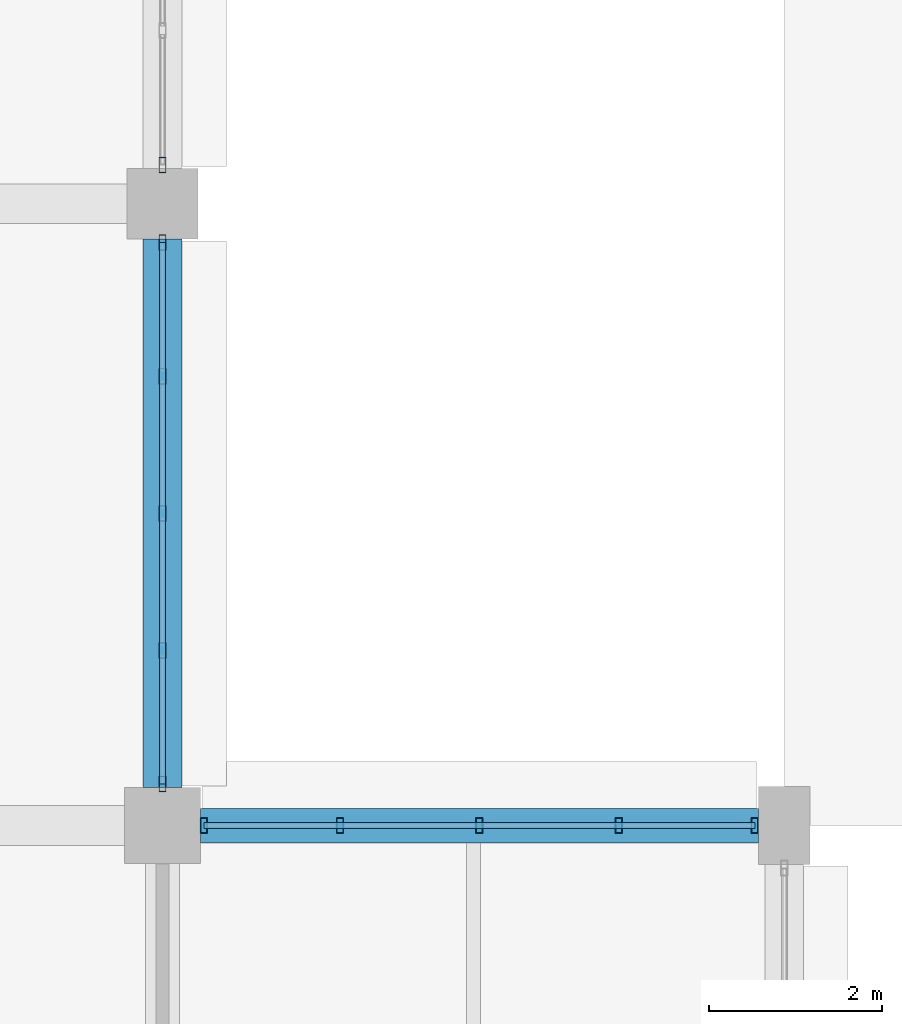
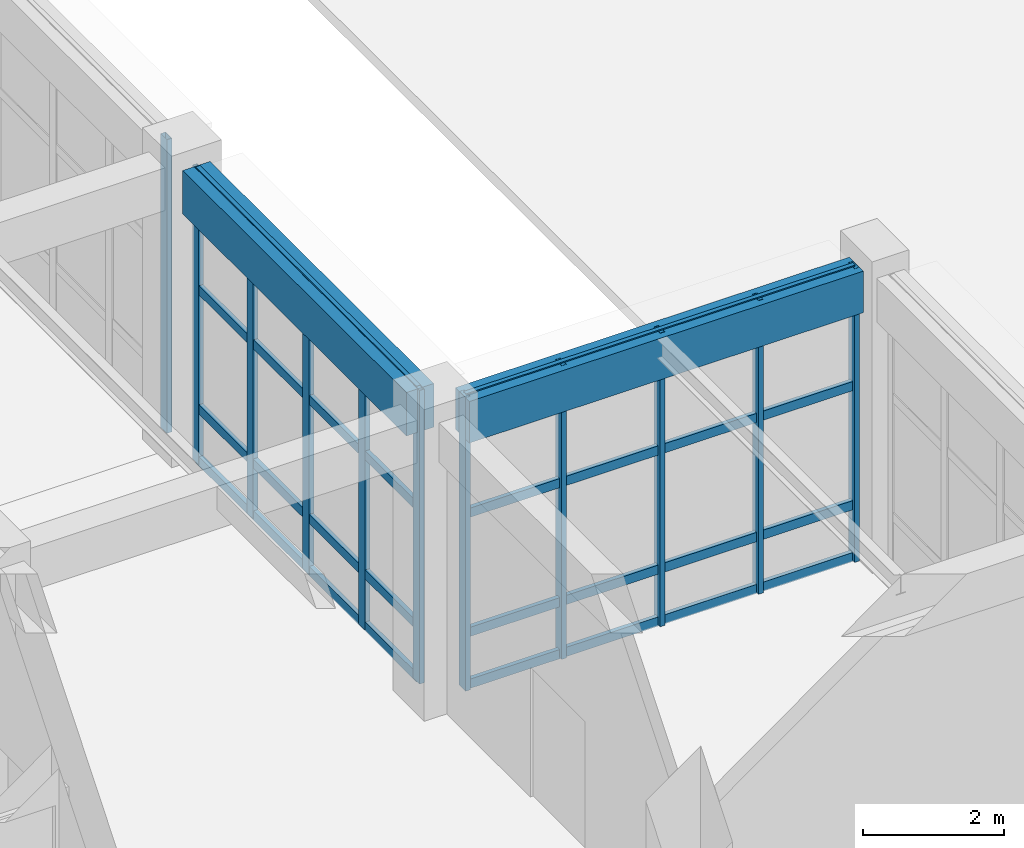
# One storey, part 21 of 160: 19 members, 2 beams, 3 elements without a shape of their own.
"""IFC4 building model written with IfcOpenShell, lengths in metres."""

from ifc_helpers import new_model, si_unit, direction, frame, origin, origin_2d, place, context, subcontext, project, spatial, rectangle, hollow_rectangle, extrude, material, material_profile, profile_set, type_object, element, aggregate, save


model = new_model("IFC4")

# Units and contexts
model_context = context("Model", 3, precision=1e-05, world=origin(), true_north=direction((0.0, 1.0)))
body_context = subcontext(model_context, "Body", "Model", "MODEL_VIEW")
ifc_project = project(units=[si_unit("LENGTHUNIT", "METRE"), si_unit("AREAUNIT", "SQUARE_METRE"), si_unit("VOLUMEUNIT", "CUBIC_METRE"), si_unit("PLANEANGLEUNIT", "RADIAN"), si_unit("MASSUNIT", "GRAM", prefix="KILO")], contexts=[model_context])

# Site, building, storey
site_placement = place(None, origin())
site = spatial("IfcSite", under=ifc_project, at=site_placement, CompositionType="ELEMENT")
building_placement = place(site_placement, origin())
building = spatial("IfcBuilding", under=site, at=building_placement, Name="Thalmaran Polytechnic", CompositionType="ELEMENT")
storey_placement = place(building_placement, origin())
storey = spatial("IfcBuildingStorey", under=building, at=storey_placement, Name="L00", CompositionType="ELEMENT", Elevation=0.0)

# Beams
ifc_material_1 = material(Name="Concrete C40/50", Category="concrete")
ifc_material_profile_1 = material_profile(ifc_material_1, rectangle(XDim=0.39990234375, YDim=0.719970703125, at=origin_2d()), Name="RC 400x720")
ifc_profile_set_1 = profile_set([ifc_material_profile_1], Name="Concrete C40/50")
beam_type_1 = type_object("IfcBeamType", Name="BM-SP01", PredefinedType="SPANDREL", material=ifc_profile_set_1)
beam_1_placement = place(storey_placement, frame((22.0400390625, 28.800048828125, 4.72998046875), z_axis=(1.0, 0.0, 0.0), x_axis=(0.0, 1.0, 0.0)))
element("IfcBeam", 1, at=beam_1_placement, inside=storey, type_object=beam_type_1, Name="Grid Beam SP01 L00 X(3,4)", PredefinedType="SPANDREL", context=body_context, shape_type="SweptSolid", body=[
    extrude(rectangle(XDim=0.39990234375, YDim=0.719970703125, at=origin_2d()), origin(), (0.0, 0.0, 1.0), 6.4599609375),
])
ifc_material_profile_2 = material_profile(ifc_material_1, rectangle(XDim=0.449951171875, YDim=0.7548828125, at=origin_2d()), Name="RC 450x755")
ifc_profile_set_2 = profile_set([ifc_material_profile_2], Name="Concrete C40/50")
beam_type_2 = type_object("IfcBeamType", Name="BM-SP02", PredefinedType="SPANDREL", material=ifc_profile_set_2)
beam_2_placement = place(storey_placement, frame((21.60009765625, 29.239990234375, 4.71240234375), z_axis=(0.0, 1.0, 0.0), x_axis=(-1.0, 0.0, 0.0)))
element("IfcBeam", 2, at=beam_2_placement, inside=storey, type_object=beam_type_2, Name="Grid Beam SP02 L00 Y(3,4)", PredefinedType="SPANDREL", context=body_context, shape_type="SweptSolid", body=[
    extrude(rectangle(XDim=0.449951171875, YDim=0.7548828125, at=origin_2d()), origin(), (0.0, 0.0, 1.0), 6.35009765625),
])

# Curtain wall, member
ifc_material_2 = material(Name="Aluminium 6063-T6", Category="aluminium")
curtain_wall_type = type_object("IfcCurtainWallType", Name="CW-UC01", PredefinedType="USERDEFINED", material=ifc_material_2)
curtain_wall_1_placement = place(storey_placement, origin())
curtain_wall_1 = element("IfcCurtainWall", 3, at=curtain_wall_1_placement, inside=storey, type_object=curtain_wall_type, Name="Curtain Wall CW-L00-046", ObjectType="UNITISED CURTAIN WALL", PredefinedType="USERDEFINED")
ifc_material_profile_3 = material_profile(ifc_material_2, hollow_rectangle(XDim=0.080078125, YDim=0.179931640625, WallThickness=0.0048828125, at=origin_2d()), Name="RHS 180x80x5.0")
ifc_profile_set_3 = profile_set([ifc_material_profile_3], Name="Aluminium 6063-T6")
member_type_1 = type_object("IfcMemberType", Name="CW-MUL1", PredefinedType="MULLION", material=ifc_profile_set_3)
member_1_placement = place(storey_placement, frame((21.60009765625, 36.449951171875, 0.0), z_axis=(0.0, 0.0, 1.0), x_axis=(1.0, 0.0, 0.0)))
member_1 = element("IfcMember", 4, at=member_1_placement, type_object=member_type_1, Name="CW-L00-046 Mullion 5", PredefinedType="MULLION", context=body_context, shape_type="SweptSolid", body=[
    extrude(hollow_rectangle(XDim=0.080078125, YDim=0.179931640625, WallThickness=0.0048828125, at=origin_2d()), origin(), (0.0, 0.0, 1.0), 5.090087890625),
])
aggregate(curtain_wall_1, [member_1])

# Curtain wall, members
curtain_wall_2_placement = place(storey_placement, origin())
curtain_wall_2 = element("IfcCurtainWall", 5, at=curtain_wall_2_placement, inside=storey, type_object=curtain_wall_type, Name="Curtain Wall CW-L00-047", ObjectType="UNITISED CURTAIN WALL", PredefinedType="USERDEFINED")
member_2_placement = place(storey_placement, frame((21.60009765625, 35.550048828125, 0.0), z_axis=(0.0, 0.0, 1.0), x_axis=(1.0, 0.0, 0.0)))
member_2 = element("IfcMember", 6, at=member_2_placement, type_object=member_type_1, Name="CW-L00-047 Mullion 1", PredefinedType="MULLION", context=body_context, shape_type="SweptSolid", body=[
    extrude(hollow_rectangle(XDim=0.080078125, YDim=0.179931640625, WallThickness=0.0048828125, at=origin_2d()), origin(), (0.0, 0.0, 1.0), 5.090087890625),
])
member_3_placement = place(storey_placement, frame((21.60009765625, 34.00244140625, 0.0), z_axis=(0.0, 0.0, 1.0), x_axis=(1.0, 0.0, 0.0)))
member_3 = element("IfcMember", 7, at=member_3_placement, type_object=member_type_1, Name="CW-L00-047 Mullion 2", PredefinedType="MULLION", context=body_context, shape_type="SweptSolid", body=[
    extrude(hollow_rectangle(XDim=0.080078125, YDim=0.179931640625, WallThickness=0.0048828125, at=origin_2d()), origin(), (0.0, 0.0, 1.0), 5.090087890625),
])
member_4_placement = place(storey_placement, frame((21.60009765625, 32.4150390625, 0.0), z_axis=(0.0, 0.0, 1.0), x_axis=(1.0, 0.0, 0.0)))
member_4 = element("IfcMember", 8, at=member_4_placement, type_object=member_type_1, Name="CW-L00-047 Mullion 3", PredefinedType="MULLION", context=body_context, shape_type="SweptSolid", body=[
    extrude(hollow_rectangle(XDim=0.080078125, YDim=0.179931640625, WallThickness=0.0048828125, at=origin_2d()), origin(), (0.0, 0.0, 1.0), 5.090087890625),
])
member_5_placement = place(storey_placement, frame((21.60009765625, 30.827392578125, 0.0), z_axis=(0.0, 0.0, 1.0), x_axis=(1.0, 0.0, 0.0)))
member_5 = element("IfcMember", 9, at=member_5_placement, type_object=member_type_1, Name="CW-L00-047 Mullion 4", PredefinedType="MULLION", context=body_context, shape_type="SweptSolid", body=[
    extrude(hollow_rectangle(XDim=0.080078125, YDim=0.179931640625, WallThickness=0.0048828125, at=origin_2d()), origin(), (0.0, 0.0, 1.0), 5.090087890625),
])
member_6_placement = place(storey_placement, frame((21.60009765625, 29.280029296875, 0.0), z_axis=(0.0, 0.0, 1.0), x_axis=(1.0, 0.0, 0.0)))
member_6 = element("IfcMember", 10, at=member_6_placement, type_object=member_type_1, Name="CW-L00-047 Mullion 5", PredefinedType="MULLION", context=body_context, shape_type="SweptSolid", body=[
    extrude(hollow_rectangle(XDim=0.080078125, YDim=0.179931640625, WallThickness=0.0048828125, at=origin_2d()), origin(), (0.0, 0.0, 1.0), 5.090087890625),
])

curtain_wall_3_placement = place(storey_placement, origin())
curtain_wall_3 = element("IfcCurtainWall", 11, at=curtain_wall_3_placement, inside=storey, type_object=curtain_wall_type, Name="Curtain Wall CW-L00-048", ObjectType="UNITISED CURTAIN WALL", PredefinedType="USERDEFINED")
member_7_placement = place(storey_placement, frame((22.080078125, 28.800048828125, 0.0), z_axis=(0.0, 0.0, 1.0), x_axis=(1.0, 0.0, 0.0)))
member_7 = element("IfcMember", 12, at=member_7_placement, type_object=member_type_1, Name="CW-L00-048 Mullion 1", PredefinedType="MULLION", context=body_context, shape_type="SweptSolid", body=[
    extrude(hollow_rectangle(XDim=0.080078125, YDim=0.179931640625, WallThickness=0.0048828125, at=origin_2d()), origin(), (0.0, 0.0, 1.0), 5.090087890625),
])
member_8_placement = place(storey_placement, frame((23.655029296875, 28.800048828125, 0.0), z_axis=(0.0, 0.0, 1.0), x_axis=(1.0, 0.0, 0.0)))
member_8 = element("IfcMember", 13, at=member_8_placement, type_object=member_type_1, Name="CW-L00-048 Mullion 2", PredefinedType="MULLION", context=body_context, shape_type="SweptSolid", body=[
    extrude(hollow_rectangle(XDim=0.080078125, YDim=0.179931640625, WallThickness=0.0048828125, at=origin_2d()), origin(), (0.0, 0.0, 1.0), 5.090087890625),
])
member_9_placement = place(storey_placement, frame((25.27001953125, 28.800048828125, 0.0), z_axis=(0.0, 0.0, 1.0), x_axis=(1.0, 0.0, 0.0)))
member_9 = element("IfcMember", 14, at=member_9_placement, type_object=member_type_1, Name="CW-L00-048 Mullion 3", PredefinedType="MULLION", context=body_context, shape_type="SweptSolid", body=[
    extrude(hollow_rectangle(XDim=0.080078125, YDim=0.179931640625, WallThickness=0.0048828125, at=origin_2d()), origin(), (0.0, 0.0, 1.0), 5.090087890625),
])
member_10_placement = place(storey_placement, frame((26.885009765625, 28.800048828125, 0.0), z_axis=(0.0, 0.0, 1.0), x_axis=(1.0, 0.0, 0.0)))
member_10 = element("IfcMember", 15, at=member_10_placement, type_object=member_type_1, Name="CW-L00-048 Mullion 4", PredefinedType="MULLION", context=body_context, shape_type="SweptSolid", body=[
    extrude(hollow_rectangle(XDim=0.080078125, YDim=0.179931640625, WallThickness=0.0048828125, at=origin_2d()), origin(), (0.0, 0.0, 1.0), 5.090087890625),
])
member_11_placement = place(storey_placement, frame((28.4599609375, 28.800048828125, 0.0), z_axis=(0.0, 0.0, 1.0), x_axis=(1.0, 0.0, 0.0)))
member_11 = element("IfcMember", 16, at=member_11_placement, type_object=member_type_1, Name="CW-L00-048 Mullion 5", PredefinedType="MULLION", context=body_context, shape_type="SweptSolid", body=[
    extrude(hollow_rectangle(XDim=0.080078125, YDim=0.179931640625, WallThickness=0.0048828125, at=origin_2d()), origin(), (0.0, 0.0, 1.0), 5.090087890625),
])

# Member
ifc_material_profile_4 = material_profile(ifc_material_2, hollow_rectangle(XDim=0.070068359375, YDim=0.159912109375, WallThickness=0.00390625, at=origin_2d()), Name="AL 160x70x4.0")
ifc_profile_set_4 = profile_set([ifc_material_profile_4], Name="Aluminium 6063-T6")
member_type_2 = type_object("IfcMemberType", Name="CW-TRN1", PredefinedType="USERDEFINED", material=ifc_profile_set_4)
member_12_placement = place(storey_placement, frame((21.60009765625, 35.550048828125, 0.06005859375), z_axis=(0.0, -1.0, 0.0), x_axis=(1.0, 0.0, 0.0)))
member_12 = element("IfcMember", 17, at=member_12_placement, type_object=member_type_2, Name="CW-L00-047 Transom 1", ObjectType="TRANSOM", PredefinedType="USERDEFINED", context=body_context, shape_type="SweptSolid", body=[
    extrude(hollow_rectangle(XDim=0.070068359375, YDim=0.159912109375, WallThickness=0.00390625, at=origin_2d()), origin(), (0.0, 0.0, 1.0), 6.27001953125),
])

member_13_placement = place(storey_placement, frame((21.60009765625, 35.550048828125, 0.9599609375), z_axis=(0.0, -1.0, 0.0), x_axis=(1.0, 0.0, 0.0)))
member_13 = element("IfcMember", 18, at=member_13_placement, type_object=member_type_2, Name="CW-L00-047 Transom 2", ObjectType="TRANSOM", PredefinedType="USERDEFINED", context=body_context, shape_type="SweptSolid", body=[
    extrude(hollow_rectangle(XDim=0.070068359375, YDim=0.159912109375, WallThickness=0.00390625, at=origin_2d()), origin(), (0.0, 0.0, 1.0), 6.27001953125),
])

member_14_placement = place(storey_placement, frame((21.60009765625, 35.550048828125, 3.02490234375), z_axis=(0.0, -1.0, 0.0), x_axis=(1.0, 0.0, 0.0)))
member_14 = element("IfcMember", 19, at=member_14_placement, type_object=member_type_2, Name="CW-L00-047 Transom 3", ObjectType="TRANSOM", PredefinedType="USERDEFINED", context=body_context, shape_type="SweptSolid", body=[
    extrude(hollow_rectangle(XDim=0.070068359375, YDim=0.159912109375, WallThickness=0.00390625, at=origin_2d()), origin(), (0.0, 0.0, 1.0), 6.27001953125),
])

member_15_placement = place(storey_placement, frame((21.60009765625, 35.550048828125, 5.030029296875), z_axis=(0.0, -1.0, 0.0), x_axis=(1.0, 0.0, 0.0)))
member_15 = element("IfcMember", 20, at=member_15_placement, type_object=member_type_2, Name="CW-L00-047 Transom 4", ObjectType="TRANSOM", PredefinedType="USERDEFINED", context=body_context, shape_type="SweptSolid", body=[
    extrude(hollow_rectangle(XDim=0.070068359375, YDim=0.159912109375, WallThickness=0.00390625, at=origin_2d()), origin(), (0.0, 0.0, 1.0), 6.27001953125),
])

aggregate(curtain_wall_2, [member_2, member_3, member_4, member_5, member_6, member_12, member_13, member_14, member_15])

member_16_placement = place(storey_placement, frame((22.080078125, 28.800048828125, 0.06005859375), z_axis=(1.0, 0.0, 0.0), x_axis=(0.0, 1.0, 0.0)))
member_16 = element("IfcMember", 21, at=member_16_placement, type_object=member_type_2, Name="CW-L00-048 Transom 1", ObjectType="TRANSOM", PredefinedType="USERDEFINED", context=body_context, shape_type="SweptSolid", body=[
    extrude(hollow_rectangle(XDim=0.070068359375, YDim=0.159912109375, WallThickness=0.00390625, at=origin_2d()), origin(), (0.0, 0.0, 1.0), 6.3798828125),
])

member_17_placement = place(storey_placement, frame((22.080078125, 28.800048828125, 0.9599609375), z_axis=(1.0, 0.0, 0.0), x_axis=(0.0, 1.0, 0.0)))
member_17 = element("IfcMember", 22, at=member_17_placement, type_object=member_type_2, Name="CW-L00-048 Transom 2", ObjectType="TRANSOM", PredefinedType="USERDEFINED", context=body_context, shape_type="SweptSolid", body=[
    extrude(hollow_rectangle(XDim=0.070068359375, YDim=0.159912109375, WallThickness=0.00390625, at=origin_2d()), origin(), (0.0, 0.0, 1.0), 6.3798828125),
])

member_18_placement = place(storey_placement, frame((22.080078125, 28.800048828125, 3.02490234375), z_axis=(1.0, 0.0, 0.0), x_axis=(0.0, 1.0, 0.0)))
member_18 = element("IfcMember", 23, at=member_18_placement, type_object=member_type_2, Name="CW-L00-048 Transom 3", ObjectType="TRANSOM", PredefinedType="USERDEFINED", context=body_context, shape_type="SweptSolid", body=[
    extrude(hollow_rectangle(XDim=0.070068359375, YDim=0.159912109375, WallThickness=0.00390625, at=origin_2d()), origin(), (0.0, 0.0, 1.0), 6.3798828125),
])

member_19_placement = place(storey_placement, frame((22.080078125, 28.800048828125, 5.030029296875), z_axis=(1.0, 0.0, 0.0), x_axis=(0.0, 1.0, 0.0)))
member_19 = element("IfcMember", 24, at=member_19_placement, type_object=member_type_2, Name="CW-L00-048 Transom 4", ObjectType="TRANSOM", PredefinedType="USERDEFINED", context=body_context, shape_type="SweptSolid", body=[
    extrude(hollow_rectangle(XDim=0.070068359375, YDim=0.159912109375, WallThickness=0.00390625, at=origin_2d()), origin(), (0.0, 0.0, 1.0), 6.3798828125),
])

aggregate(curtain_wall_3, [member_7, member_8, member_9, member_10, member_11, member_16, member_17, member_18, member_19])

save(model, "model.ifc")
